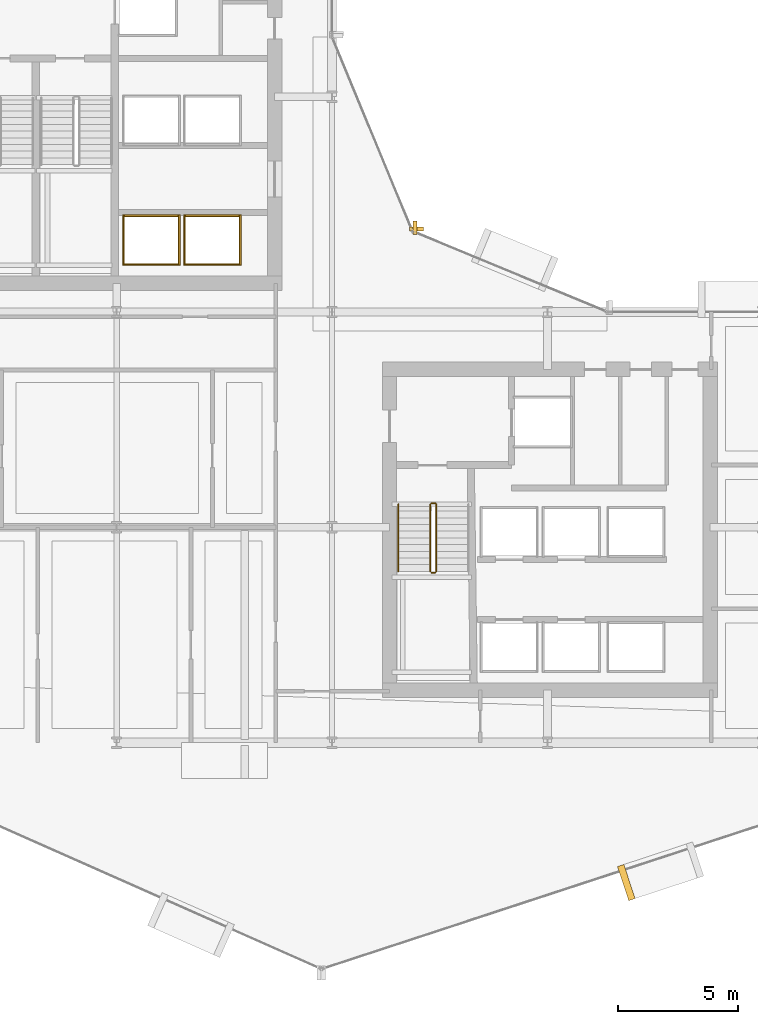
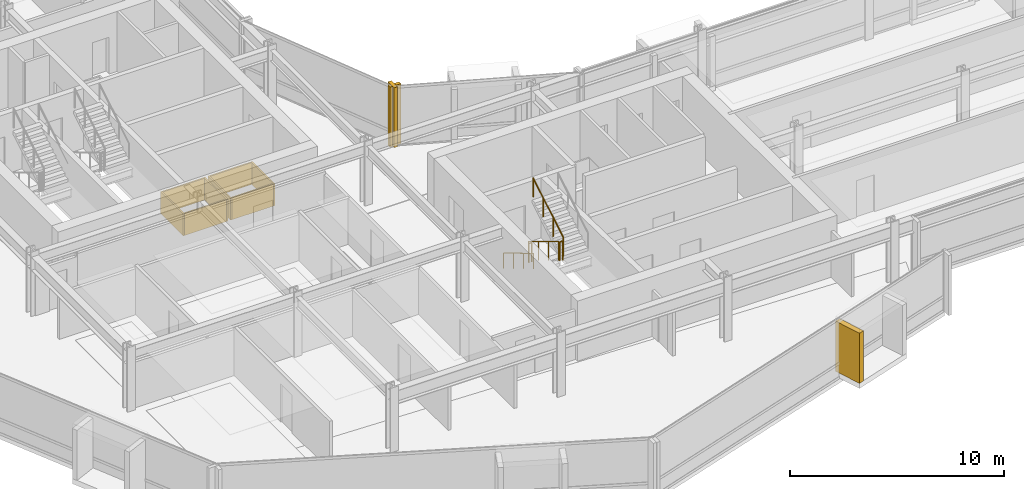
# One storey, part 31 of 34: 11 coverings, 5 railings.
"""IFC4 building model written with IfcOpenShell, lengths in metres."""

from ifc_helpers import new_model, si_unit, direction, frame, origin, origin_2d, place, context, subcontext, project, spatial, rectangle, circle, extrude, material, layer, layer_set, type_object, element, save


model = new_model("IFC4")

# Units and contexts
model_context = context("Model", 3, precision=1e-05, world=origin(), true_north=direction((0.0, 1.0)))
body_context = subcontext(model_context, "Body", "Model", "MODEL_VIEW")
ifc_project = project(units=[si_unit("LENGTHUNIT", "METRE"), si_unit("AREAUNIT", "SQUARE_METRE"), si_unit("VOLUMEUNIT", "CUBIC_METRE"), si_unit("PLANEANGLEUNIT", "RADIAN"), si_unit("MASSUNIT", "GRAM", prefix="KILO")], contexts=[model_context])

# Site, building, storey
site_placement = place(None, origin())
site = spatial("IfcSite", under=ifc_project, at=site_placement, CompositionType="ELEMENT")
building_placement = place(site_placement, origin())
building = spatial("IfcBuilding", under=site, at=building_placement, Name="Solvaryn Broadcast Tower", CompositionType="ELEMENT")
storey_placement = place(building_placement, frame((0.0, 0.0, 76.699951171875)))
storey = spatial("IfcBuildingStorey", under=building, at=storey_placement, Name="L18", CompositionType="ELEMENT", Elevation=76.699951171875)

# Coverings
ifc_material_1 = material(Name="Fire-Rated Gypsum Shaftwall Liner", Category="concrete")
ifc_layer_1 = layer(ifc_material_1, 0.080078125)
ifc_layer_set_1 = layer_set([ifc_layer_1], Name="CV-SHAFT-LINER")
covering_type_1 = type_object("IfcCoveringType", Name="CV-SHAFT-LINER", PredefinedType="CLADDING", material=ifc_layer_set_1)
for number, where, z_axis, x_axis, name in (
    (1, (19.449951171875, 31.014892578125, 0.0), (0.0, 0.0, 1.0), (1.0, 0.0, 0.0), "L18 PH1 Hoistway Shaft Liner North"),
    (2, (19.449951171875, 28.985107421875, 0.0), (0.0, 0.0, 1.0), (1.0, 0.0, 0.0), "L18 PH1 Hoistway Shaft Liner South"),
):
    element("IfcCovering", number, at=place(storey_placement, frame(where, z_axis=z_axis, x_axis=x_axis)), inside=storey, type_object=covering_type_1, Name=name, PredefinedType="CLADDING", context=body_context, shape_type="SweptSolid", body=[
        extrude(rectangle(XDim=2.409912109375, YDim=0.080078125, at=origin_2d()), origin(), (0.0, 0.0, 1.0), 1.25),
    ])
for number, where, z_axis, x_axis, name in (
    (3, (20.614990234375, 30.0, 0.0), (0.0, 0.0, 1.0), (1.0, 0.0, 0.0), "L18 PH1 Hoistway Shaft Liner East"),
    (4, (18.284912109375, 30.0, 0.0), (0.0, 0.0, 1.0), (1.0, 0.0, 0.0), "L18 PH1 Hoistway Shaft Liner West"),
):
    element("IfcCovering", number, at=place(storey_placement, frame(where, z_axis=z_axis, x_axis=x_axis)), inside=storey, type_object=covering_type_1, Name=name, PredefinedType="CLADDING", context=body_context, shape_type="SweptSolid", body=[
        extrude(rectangle(XDim=0.080078125, YDim=2.110107421875, at=origin_2d()), origin(), (0.0, 0.0, 1.0), 1.25),
    ])
for number, where, z_axis, x_axis, name in (
    (5, (22.0, 31.014892578125, 0.0), (0.0, 0.0, 1.0), (1.0, 0.0, 0.0), "L18 PH2 Hoistway Shaft Liner North"),
    (6, (22.0, 28.985107421875, 0.0), (0.0, 0.0, 1.0), (1.0, 0.0, 0.0), "L18 PH2 Hoistway Shaft Liner South"),
):
    element("IfcCovering", number, at=place(storey_placement, frame(where, z_axis=z_axis, x_axis=x_axis)), inside=storey, type_object=covering_type_1, Name=name, PredefinedType="CLADDING", context=body_context, shape_type="SweptSolid", body=[
        extrude(rectangle(XDim=2.409912109375, YDim=0.080078125, at=origin_2d()), origin(), (0.0, 0.0, 1.0), 1.25),
    ])
for number, where, z_axis, x_axis, name in (
    (7, (23.1650390625, 30.0, 0.0), (0.0, 0.0, 1.0), (1.0, 0.0, 0.0), "L18 PH2 Hoistway Shaft Liner East"),
    (8, (20.8349609375, 30.0, 0.0), (0.0, 0.0, 1.0), (1.0, 0.0, 0.0), "L18 PH2 Hoistway Shaft Liner West"),
):
    element("IfcCovering", number, at=place(storey_placement, frame(where, z_axis=z_axis, x_axis=x_axis)), inside=storey, type_object=covering_type_1, Name=name, PredefinedType="CLADDING", context=body_context, shape_type="SweptSolid", body=[
        extrude(rectangle(XDim=0.080078125, YDim=2.110107421875, at=origin_2d()), origin(), (0.0, 0.0, 1.0), 1.25),
    ])
ifc_material_2 = material(Name="Glazed Architectural Terracotta Rainscreen Cladding", Category="masonry")
ifc_layer_2 = layer(ifc_material_2, 0.280029296875)
ifc_layer_set_2 = layer_set([ifc_layer_2], Name="CV-TC-CLAD")
covering_type_2 = type_object("IfcCoveringType", Name="CV-TC-CLAD", PredefinedType="CLADDING", material=ifc_layer_set_2)
covering_1_placement = place(storey_placement, frame((39.298095703125, 3.155517578125, 0.27978515625), z_axis=(0.0, 0.0, 1.0), x_axis=(0.950189870912, 0.311671636848, 0.0)))
element("IfcCovering", 9, at=covering_1_placement, inside=storey, type_object=covering_type_2, Name="L18 Projecting Stone Window Box Cheek 4-1", PredefinedType="CLADDING", context=body_context, shape_type="SweptSolid", body=[
    extrude(rectangle(XDim=0.280029296875, YDim=1.5, at=origin_2d()), origin(), (0.0, 0.0, 1.0), 2.860107421875),
])
ifc_material_3 = material(Name="Extruded Architectural Terracotta Fin", Category="masonry")
ifc_layer_3 = layer(ifc_material_3, 0.179931640625)
ifc_layer_set_3 = layer_set([ifc_layer_3], Name="CV-TC-FIN")
covering_type_3 = type_object("IfcCoveringType", Name="CV-TC-FIN", PredefinedType="USERDEFINED", material=ifc_layer_set_3)
covering_2_placement = place(storey_placement, frame((30.464599609375, 30.52294921875, 0.0), z_axis=(0.0, 0.0, 1.0), x_axis=(1.0, 0.0, 0.0)))
element("IfcCovering", 10, at=covering_2_placement, inside=storey, type_object=covering_type_3, Name="L18 Terracotta Vertical Fin FIN-L18-CN1-M01", ObjectType="FIN", PredefinedType="USERDEFINED", context=body_context, shape_type="SweptSolid", body=[
    extrude(rectangle(XDim=0.179931640625, YDim=0.580078125, at=origin_2d()), origin(), (0.0, 0.0, 1.0), 3.419921875),
])
covering_3_placement = place(storey_placement, frame((30.52294921875, 30.464599609375, 0.0), z_axis=(0.0, 0.0, 1.0), x_axis=(1.0, 0.0, 0.0)))
element("IfcCovering", 11, at=covering_3_placement, inside=storey, type_object=covering_type_3, Name="L18 Terracotta Vertical Fin FIN-L18-CN2-M00", ObjectType="FIN", PredefinedType="USERDEFINED", context=body_context, shape_type="SweptSolid", body=[
    extrude(rectangle(XDim=0.580078125, YDim=0.179931640625, at=origin_2d()), origin(), (0.0, 0.0, 1.0), 3.419921875),
])

# Railings
ifc_material_4 = material(Name="Painted Steel Stair Well Guard", Category="steel")
railing_type_1 = type_object("IfcRailingType", Name="RL-STAIR-GUARD", PredefinedType="BALUSTRADE", material=ifc_material_4)
railing_1_placement = place(storey_placement, frame((31.110107421875, 18.9599609375, 0.168212890625)))
element("IfcRailing", 12, at=railing_1_placement, inside=storey, type_object=railing_type_1, Name="L18 ST3 stair guard 1", PredefinedType="BALUSTRADE", context=body_context, shape_type="SweptSolid", body=[
    extrude(circle(Radius=0.02392578125, at=origin_2d()), frame((0.0, 0.0, 1.076171875), z_axis=(0.0, -0.857242210791, 0.514913383045), x_axis=(1.0, 0.0, 0.0)), (0.0, 0.0, 1.0), 3.266357421875),
    extrude(circle(Radius=0.02099609375, at=origin_2d()), origin(), (0.0, 0.0, 1.0), 1.052001953125),
    extrude(circle(Radius=0.02099609375, at=origin_2d()), frame((0.0, -0.933349609375, 0.560546875)), (0.0, 0.0, 1.0), 1.052001953125),
    extrude(circle(Radius=0.02099609375, at=origin_2d()), frame((0.0, -1.86669921875, 1.121337890625)), (0.0, 0.0, 1.0), 1.052001953125),
    extrude(circle(Radius=0.02099609375, at=origin_2d()), frame((0.0, -2.800048828125, 1.681884765625)), (0.0, 0.0, 1.0), 1.052001953125),
])
railing_2_placement = place(storey_placement, frame((31.159912109375, 16.110107421875, 1.85009765625)))
element("IfcRailing", 13, at=railing_2_placement, inside=storey, type_object=railing_type_1, Name="L18 ST3 stair guard 2", PredefinedType="BALUSTRADE", context=body_context, shape_type="SweptSolid", body=[
    extrude(circle(Radius=0.02392578125, at=origin_2d()), frame((0.0, 0.0, 1.076171875), z_axis=(1.0, 0.0, 0.0), x_axis=(0.0, 1.0, 0.0)), (0.0, 0.0, 1.0), 0.150146484375),
    extrude(circle(Radius=0.02099609375, at=origin_2d()), origin(), (0.0, 0.0, 1.0), 1.052001953125),
    extrude(circle(Radius=0.02099609375, at=origin_2d()), frame((0.150146484375, 0.0, 0.0)), (0.0, 0.0, 1.0), 1.052001953125),
])
railing_3_placement = place(storey_placement, frame((31.360107421875, 16.159912109375, 2.018310546875)))
element("IfcRailing", 14, at=railing_3_placement, inside=storey, type_object=railing_type_1, Name="L18 ST3 stair guard 3", PredefinedType="BALUSTRADE", context=body_context, shape_type="SweptSolid", body=[
    extrude(circle(Radius=0.02392578125, at=origin_2d()), frame((0.0, 0.0, 1.076171875), z_axis=(0.0, 0.857275202839, 0.514858452973), x_axis=(-1.0, 0.0, 0.0)), (0.0, 0.0, 1.0), 3.26611328125),
    extrude(circle(Radius=0.02099609375, at=origin_2d()), origin(), (0.0, 0.0, 1.0), 1.052001953125),
    extrude(circle(Radius=0.02099609375, at=origin_2d()), frame((0.0, 0.933349609375, 0.560546875)), (0.0, 0.0, 1.0), 1.052001953125),
    extrude(circle(Radius=0.02099609375, at=origin_2d()), frame((0.0, 1.86669921875, 1.12109375)), (0.0, 0.0, 1.0), 1.052001953125),
    extrude(circle(Radius=0.02099609375, at=origin_2d()), frame((0.0, 2.800048828125, 1.681640625)), (0.0, 0.0, 1.0), 1.052001953125),
])
railing_4_placement = place(storey_placement, frame((31.159912109375, 19.010009765625, 0.0)))
element("IfcRailing", 15, at=railing_4_placement, inside=storey, type_object=railing_type_1, Name="L18 ST3 stair guard 4", PredefinedType="BALUSTRADE", context=body_context, shape_type="SweptSolid", body=[
    extrude(circle(Radius=0.02392578125, at=origin_2d()), frame((0.0, 0.0, 1.076171875), z_axis=(1.0, 0.0, 0.0), x_axis=(0.0, 1.0, 0.0)), (0.0, 0.0, 1.0), 0.150146484375),
    extrude(circle(Radius=0.02099609375, at=origin_2d()), origin(), (0.0, 0.0, 1.0), 1.052001953125),
    extrude(circle(Radius=0.02099609375, at=origin_2d()), frame((0.150146484375, 0.0, 0.0)), (0.0, 0.0, 1.0), 1.052001953125),
])
ifc_material_5 = material(Name="Brushed Stainless Steel Tubular Handrail", Category="steel")
railing_type_2 = type_object("IfcRailingType", Name="RL-STAIR-HANDRAIL", PredefinedType="HANDRAIL", material=ifc_material_5)
railing_5_placement = place(storey_placement, frame((29.77001953125, 18.9599609375, 0.168212890625)))
element("IfcRailing", 16, at=railing_5_placement, inside=storey, type_object=railing_type_2, Name="L18 ST3 stair handrail 1", PredefinedType="HANDRAIL", context=body_context, shape_type="SweptSolid", body=[
    extrude(circle(Radius=0.02392578125, at=origin_2d()), frame((0.0, 0.0, 0.8759765625), z_axis=(0.0, -0.857242210791, 0.514913383045), x_axis=(1.0, 0.0, 0.0)), (0.0, 0.0, 1.0), 3.266357421875),
    extrude(circle(Radius=0.02099609375, at=origin_2d()), origin(), (0.0, 0.0, 1.0), 0.851806640625),
    extrude(circle(Radius=0.02099609375, at=origin_2d()), frame((0.0, -0.933349609375, 0.560546875)), (0.0, 0.0, 1.0), 0.851806640625),
    extrude(circle(Radius=0.02099609375, at=origin_2d()), frame((0.0, -1.86669921875, 1.121337890625)), (0.0, 0.0, 1.0), 0.851806640625),
    extrude(circle(Radius=0.02099609375, at=origin_2d()), frame((0.0, -2.800048828125, 1.681884765625)), (0.0, 0.0, 1.0), 0.851806640625),
])

save(model, "model.ifc")
